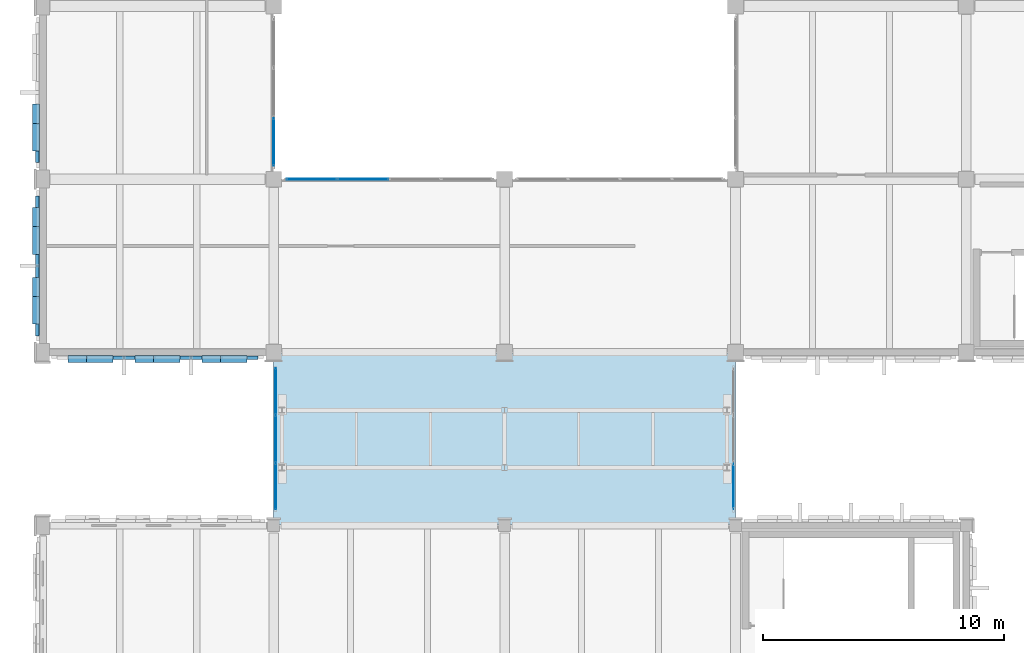
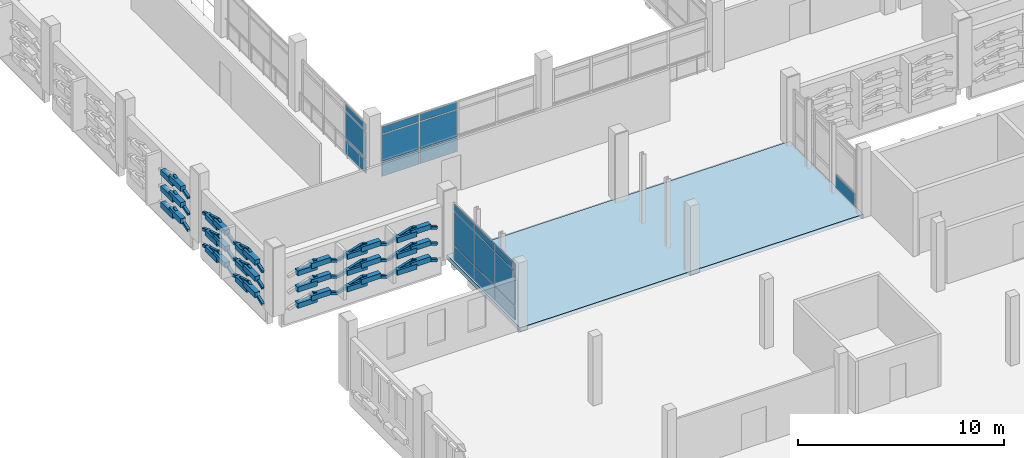
# One storey, part 38 of 72: 85 plates, 1 slab, 4 elements without a shape of their own.
"""IFC4 building model written with IfcOpenShell, lengths in metres."""

from ifc_helpers import new_model, si_unit, direction, frame, origin, origin_2d, place, context, subcontext, project, spatial, polyline, rectangle, hollow_rectangle, outline, extrude, material, layer, layer_set, material_profile, profile_set, type_object, element, aggregate, save


model = new_model("IFC4")

# Units and contexts
model_context = context("Model", 3, precision=1e-05, world=origin(), true_north=direction((0.0, 1.0)))
body_context = subcontext(model_context, "Body", "Model", "MODEL_VIEW")
ifc_project = project(units=[si_unit("LENGTHUNIT", "METRE"), si_unit("AREAUNIT", "SQUARE_METRE"), si_unit("VOLUMEUNIT", "CUBIC_METRE"), si_unit("PLANEANGLEUNIT", "RADIAN"), si_unit("MASSUNIT", "GRAM", prefix="KILO")], contexts=[model_context])

# Site, building, storey
site_placement = place(None, origin())
site = spatial("IfcSite", under=ifc_project, at=site_placement, CompositionType="ELEMENT")
building_placement = place(site_placement, origin())
building = spatial("IfcBuilding", under=site, at=building_placement, Name="Asteropetra Specialist Clinic", CompositionType="ELEMENT")
storey_placement = place(building_placement, frame((0.0, 0.0, 12.580078125)))
storey = spatial("IfcBuildingStorey", under=building, at=storey_placement, Name="L03", CompositionType="ELEMENT", Elevation=12.580078125)

# Plates
ifc_material_1 = material(Name="Chevron emerald aluminium 6063-T6", Category="aluminium")
ifc_material_profile = material_profile(ifc_material_1, hollow_rectangle(XDim=0.159912109375, YDim=0.159912109375, WallThickness=0.008056640625, InnerFilletRadius=0.008056640625, OuterFilletRadius=0.01611328125, at=origin_2d()), Name="SHS 160x160x8.0")
ifc_profile_set = profile_set([ifc_material_profile], Name="Chevron emerald aluminium 6063-T6")
plate_type_1 = type_object("IfcPlateType", Name="CHV-RIB-160", PredefinedType="SHEET", material=ifc_profile_set)
for number, where, z_axis, x_axis, name in (
    (1, (1.98828125, 69.3779296875, 0.499267578125), (0.952439871219, 0.0, -0.304726585175), (0.0, 1.0, 0.0), "Chevron Facade Screen Fin CVR-1192"),
    (2, (1.98828125, 69.3779296875, 1.459228515625), (0.952488995782, 0.0, -0.304573000962), (0.0, 1.0, 0.0), "Chevron Facade Screen Fin CVR-1194"),
    (3, (1.98828125, 69.3779296875, 2.419189453125), (0.952488995782, 0.0, -0.304573000962), (0.0, 1.0, 0.0), "Chevron Facade Screen Fin CVR-1196"),
):
    element("IfcPlate", number, at=place(storey_placement, frame(where, z_axis=z_axis, x_axis=x_axis)), inside=storey, type_object=plate_type_1, Name=name, PredefinedType="SHEET", context=body_context, shape_type="SweptSolid", body=[
        extrude(hollow_rectangle(XDim=0.159912109375, YDim=0.159912109375, WallThickness=0.008056640625, InnerFilletRadius=0.008056640625, OuterFilletRadius=0.01611328125, at=origin_2d()), origin(), (0.0, 0.0, 1.0), 1.442138671875),
    ])
for number, where, z_axis, x_axis, name in (
    (4, (3.401611328125, 69.3779296875, 0.059814453125), (0.952424147199, 0.0, 0.304775727104), (0.0, 1.0, 0.0), "Chevron Facade Screen Fin CVR-1197"),
    (5, (4.77490234375, 69.3779296875, 0.499267578125), (0.952424147199, 0.0, -0.304775727104), (0.0, 1.0, 0.0), "Chevron Facade Screen Fin CVR-1198"),
    (6, (3.401611328125, 69.3779296875, 1.02001953125), (0.952473286797, 0.0, 0.304622123191), (0.0, 1.0, 0.0), "Chevron Facade Screen Fin CVR-1199"),
    (7, (4.77490234375, 69.3779296875, 1.459228515625), (0.952473286797, 0.0, -0.304622123191), (0.0, 1.0, 0.0), "Chevron Facade Screen Fin CVR-1200"),
    (8, (3.401611328125, 69.3779296875, 1.97998046875), (0.952473286797, 0.0, 0.304622123191), (0.0, 1.0, 0.0), "Chevron Facade Screen Fin CVR-1201"),
    (9, (4.77490234375, 69.3779296875, 2.419189453125), (0.952473286797, 0.0, -0.304622123191), (0.0, 1.0, 0.0), "Chevron Facade Screen Fin CVR-1202"),
):
    element("IfcPlate", number, at=place(storey_placement, frame(where, z_axis=z_axis, x_axis=x_axis)), inside=storey, type_object=plate_type_1, Name=name, PredefinedType="SHEET", context=body_context, shape_type="SweptSolid", body=[
        extrude(hollow_rectangle(XDim=0.159912109375, YDim=0.159912109375, WallThickness=0.008056640625, InnerFilletRadius=0.008056640625, OuterFilletRadius=0.01611328125, at=origin_2d()), origin(), (0.0, 0.0, 1.0), 1.44189453125),
    ])
plate_1_placement = place(storey_placement, frame((6.188232421875, 69.3779296875, 0.059814453125), z_axis=(0.952439871219, 0.0, 0.304726585175), x_axis=(0.0, 1.0, 0.0)))
element("IfcPlate", 10, at=plate_1_placement, inside=storey, type_object=plate_type_1, Name="Chevron Facade Screen Fin CVR-1203", PredefinedType="SHEET", context=body_context, shape_type="SweptSolid", body=[
    extrude(hollow_rectangle(XDim=0.159912109375, YDim=0.159912109375, WallThickness=0.008056640625, InnerFilletRadius=0.008056640625, OuterFilletRadius=0.01611328125, at=origin_2d()), origin(), (0.0, 0.0, 1.0), 1.442138671875),
])
plate_2_placement = place(storey_placement, frame((7.561767578125, 69.3779296875, 0.499267578125), z_axis=(0.952424147199, 0.0, -0.304775727104), x_axis=(0.0, 1.0, 0.0)))
element("IfcPlate", 11, at=plate_2_placement, inside=storey, type_object=plate_type_1, Name="Chevron Facade Screen Fin CVR-1204", PredefinedType="SHEET", context=body_context, shape_type="SweptSolid", body=[
    extrude(hollow_rectangle(XDim=0.159912109375, YDim=0.159912109375, WallThickness=0.008056640625, InnerFilletRadius=0.008056640625, OuterFilletRadius=0.01611328125, at=origin_2d()), origin(), (0.0, 0.0, 1.0), 1.44189453125),
])
plate_3_placement = place(storey_placement, frame((6.188232421875, 69.3779296875, 1.02001953125), z_axis=(0.952488995782, 0.0, 0.304573000962), x_axis=(0.0, 1.0, 0.0)))
element("IfcPlate", 12, at=plate_3_placement, inside=storey, type_object=plate_type_1, Name="Chevron Facade Screen Fin CVR-1205", PredefinedType="SHEET", context=body_context, shape_type="SweptSolid", body=[
    extrude(hollow_rectangle(XDim=0.159912109375, YDim=0.159912109375, WallThickness=0.008056640625, InnerFilletRadius=0.008056640625, OuterFilletRadius=0.01611328125, at=origin_2d()), origin(), (0.0, 0.0, 1.0), 1.442138671875),
])
plate_4_placement = place(storey_placement, frame((7.561767578125, 69.3779296875, 1.459228515625), z_axis=(0.952473286797, 0.0, -0.304622123191), x_axis=(0.0, 1.0, 0.0)))
element("IfcPlate", 13, at=plate_4_placement, inside=storey, type_object=plate_type_1, Name="Chevron Facade Screen Fin CVR-1206", PredefinedType="SHEET", context=body_context, shape_type="SweptSolid", body=[
    extrude(hollow_rectangle(XDim=0.159912109375, YDim=0.159912109375, WallThickness=0.008056640625, InnerFilletRadius=0.008056640625, OuterFilletRadius=0.01611328125, at=origin_2d()), origin(), (0.0, 0.0, 1.0), 1.44189453125),
])
plate_5_placement = place(storey_placement, frame((6.188232421875, 69.3779296875, 1.97998046875), z_axis=(0.952488995782, 0.0, 0.304573000962), x_axis=(0.0, 1.0, 0.0)))
element("IfcPlate", 14, at=plate_5_placement, inside=storey, type_object=plate_type_1, Name="Chevron Facade Screen Fin CVR-1207", PredefinedType="SHEET", context=body_context, shape_type="SweptSolid", body=[
    extrude(hollow_rectangle(XDim=0.159912109375, YDim=0.159912109375, WallThickness=0.008056640625, InnerFilletRadius=0.008056640625, OuterFilletRadius=0.01611328125, at=origin_2d()), origin(), (0.0, 0.0, 1.0), 1.442138671875),
])
plate_6_placement = place(storey_placement, frame((7.561767578125, 69.3779296875, 2.419189453125), z_axis=(0.952473286797, 0.0, -0.304622123191), x_axis=(0.0, 1.0, 0.0)))
element("IfcPlate", 15, at=plate_6_placement, inside=storey, type_object=plate_type_1, Name="Chevron Facade Screen Fin CVR-1208", PredefinedType="SHEET", context=body_context, shape_type="SweptSolid", body=[
    extrude(hollow_rectangle(XDim=0.159912109375, YDim=0.159912109375, WallThickness=0.008056640625, InnerFilletRadius=0.008056640625, OuterFilletRadius=0.01611328125, at=origin_2d()), origin(), (0.0, 0.0, 1.0), 1.44189453125),
])
plate_7_placement = place(storey_placement, frame((-0.221923828125, 76.0849609375, 0.059814453125), z_axis=(0.0, -0.952491984317, 0.304563654777), x_axis=(1.0, 0.0, 0.0)))
element("IfcPlate", 16, at=plate_7_placement, inside=storey, type_object=plate_type_1, Name="Chevron Facade Screen Fin CVR-1341", PredefinedType="SHEET", context=body_context, shape_type="SweptSolid", body=[
    extrude(hollow_rectangle(XDim=0.159912109375, YDim=0.159912109375, WallThickness=0.008056640625, InnerFilletRadius=0.008056640625, OuterFilletRadius=0.01611328125, at=origin_2d()), origin(), (0.0, 0.0, 1.0), 1.50390625),
])
plate_8_placement = place(storey_placement, frame((-0.221923828125, 74.652587890625, 0.517822265625), z_axis=(0.0, -0.952507040007, -0.304516565619), x_axis=(1.0, 0.0, 0.0)))
element("IfcPlate", 17, at=plate_8_placement, inside=storey, type_object=plate_type_1, Name="Chevron Facade Screen Fin CVR-1342", PredefinedType="SHEET", context=body_context, shape_type="SweptSolid", body=[
    extrude(hollow_rectangle(XDim=0.159912109375, YDim=0.159912109375, WallThickness=0.008056640625, InnerFilletRadius=0.008056640625, OuterFilletRadius=0.01611328125, at=origin_2d()), origin(), (0.0, 0.0, 1.0), 1.504150390625),
])
plate_9_placement = place(storey_placement, frame((-0.221923828125, 76.0849609375, 1.02001953125), z_axis=(0.0, -0.952491984317, 0.304563654777), x_axis=(1.0, 0.0, 0.0)))
element("IfcPlate", 18, at=plate_9_placement, inside=storey, type_object=plate_type_1, Name="Chevron Facade Screen Fin CVR-1343", PredefinedType="SHEET", context=body_context, shape_type="SweptSolid", body=[
    extrude(hollow_rectangle(XDim=0.159912109375, YDim=0.159912109375, WallThickness=0.008056640625, InnerFilletRadius=0.008056640625, OuterFilletRadius=0.01611328125, at=origin_2d()), origin(), (0.0, 0.0, 1.0), 1.50390625),
])
plate_10_placement = place(storey_placement, frame((-0.221923828125, 74.652587890625, 1.47802734375), z_axis=(0.0, -0.952507040007, -0.304516565619), x_axis=(1.0, 0.0, 0.0)))
element("IfcPlate", 19, at=plate_10_placement, inside=storey, type_object=plate_type_1, Name="Chevron Facade Screen Fin CVR-1344", PredefinedType="SHEET", context=body_context, shape_type="SweptSolid", body=[
    extrude(hollow_rectangle(XDim=0.159912109375, YDim=0.159912109375, WallThickness=0.008056640625, InnerFilletRadius=0.008056640625, OuterFilletRadius=0.01611328125, at=origin_2d()), origin(), (0.0, 0.0, 1.0), 1.504150390625),
])
plate_11_placement = place(storey_placement, frame((-0.221923828125, 76.0849609375, 1.97998046875), z_axis=(0.0, -0.952491984317, 0.304563654777), x_axis=(1.0, 0.0, 0.0)))
element("IfcPlate", 20, at=plate_11_placement, inside=storey, type_object=plate_type_1, Name="Chevron Facade Screen Fin CVR-1345", PredefinedType="SHEET", context=body_context, shape_type="SweptSolid", body=[
    extrude(hollow_rectangle(XDim=0.159912109375, YDim=0.159912109375, WallThickness=0.008056640625, InnerFilletRadius=0.008056640625, OuterFilletRadius=0.01611328125, at=origin_2d()), origin(), (0.0, 0.0, 1.0), 1.50390625),
])
plate_12_placement = place(storey_placement, frame((-0.221923828125, 74.652587890625, 2.43798828125), z_axis=(0.0, -0.952507040007, -0.304516565619), x_axis=(1.0, 0.0, 0.0)))
element("IfcPlate", 21, at=plate_12_placement, inside=storey, type_object=plate_type_1, Name="Chevron Facade Screen Fin CVR-1346", PredefinedType="SHEET", context=body_context, shape_type="SweptSolid", body=[
    extrude(hollow_rectangle(XDim=0.159912109375, YDim=0.159912109375, WallThickness=0.008056640625, InnerFilletRadius=0.008056640625, OuterFilletRadius=0.01611328125, at=origin_2d()), origin(), (0.0, 0.0, 1.0), 1.504150390625),
])
plate_13_placement = place(storey_placement, frame((-0.221923828125, 73.179931640625, 0.059814453125), z_axis=(0.0, -0.952491984317, 0.304563654777), x_axis=(1.0, 0.0, 0.0)))
element("IfcPlate", 22, at=plate_13_placement, inside=storey, type_object=plate_type_1, Name="Chevron Facade Screen Fin CVR-1347", PredefinedType="SHEET", context=body_context, shape_type="SweptSolid", body=[
    extrude(hollow_rectangle(XDim=0.159912109375, YDim=0.159912109375, WallThickness=0.008056640625, InnerFilletRadius=0.008056640625, OuterFilletRadius=0.01611328125, at=origin_2d()), origin(), (0.0, 0.0, 1.0), 1.50390625),
])
plate_14_placement = place(storey_placement, frame((-0.221923828125, 71.74755859375, 0.517822265625), z_axis=(0.0, -0.952507040007, -0.304516565619), x_axis=(1.0, 0.0, 0.0)))
element("IfcPlate", 23, at=plate_14_placement, inside=storey, type_object=plate_type_1, Name="Chevron Facade Screen Fin CVR-1348", PredefinedType="SHEET", context=body_context, shape_type="SweptSolid", body=[
    extrude(hollow_rectangle(XDim=0.159912109375, YDim=0.159912109375, WallThickness=0.008056640625, InnerFilletRadius=0.008056640625, OuterFilletRadius=0.01611328125, at=origin_2d()), origin(), (0.0, 0.0, 1.0), 1.504150390625),
])
plate_15_placement = place(storey_placement, frame((-0.221923828125, 73.179931640625, 1.02001953125), z_axis=(0.0, -0.952491984317, 0.304563654777), x_axis=(1.0, 0.0, 0.0)))
element("IfcPlate", 24, at=plate_15_placement, inside=storey, type_object=plate_type_1, Name="Chevron Facade Screen Fin CVR-1349", PredefinedType="SHEET", context=body_context, shape_type="SweptSolid", body=[
    extrude(hollow_rectangle(XDim=0.159912109375, YDim=0.159912109375, WallThickness=0.008056640625, InnerFilletRadius=0.008056640625, OuterFilletRadius=0.01611328125, at=origin_2d()), origin(), (0.0, 0.0, 1.0), 1.50390625),
])
plate_16_placement = place(storey_placement, frame((-0.221923828125, 71.74755859375, 1.47802734375), z_axis=(0.0, -0.952507040007, -0.304516565619), x_axis=(1.0, 0.0, 0.0)))
element("IfcPlate", 25, at=plate_16_placement, inside=storey, type_object=plate_type_1, Name="Chevron Facade Screen Fin CVR-1350", PredefinedType="SHEET", context=body_context, shape_type="SweptSolid", body=[
    extrude(hollow_rectangle(XDim=0.159912109375, YDim=0.159912109375, WallThickness=0.008056640625, InnerFilletRadius=0.008056640625, OuterFilletRadius=0.01611328125, at=origin_2d()), origin(), (0.0, 0.0, 1.0), 1.504150390625),
])
plate_17_placement = place(storey_placement, frame((-0.221923828125, 73.179931640625, 1.97998046875), z_axis=(0.0, -0.952491984317, 0.304563654777), x_axis=(1.0, 0.0, 0.0)))
element("IfcPlate", 26, at=plate_17_placement, inside=storey, type_object=plate_type_1, Name="Chevron Facade Screen Fin CVR-1351", PredefinedType="SHEET", context=body_context, shape_type="SweptSolid", body=[
    extrude(hollow_rectangle(XDim=0.159912109375, YDim=0.159912109375, WallThickness=0.008056640625, InnerFilletRadius=0.008056640625, OuterFilletRadius=0.01611328125, at=origin_2d()), origin(), (0.0, 0.0, 1.0), 1.50390625),
])
for number, where, z_axis, x_axis, name in (
    (27, (-0.221923828125, 71.74755859375, 2.43798828125), (0.0, -0.952507040007, -0.304516565619), (1.0, 0.0, 0.0), "Chevron Facade Screen Fin CVR-1352"),
    (28, (-0.221923828125, 78.947509765625, 0.517822265625), (0.0, -0.952507040007, -0.304516565619), (1.0, 0.0, 0.0), "Chevron Facade Screen Fin CVR-1372"),
    (29, (-0.221923828125, 78.947509765625, 1.47802734375), (0.0, -0.952507040007, -0.304516565619), (1.0, 0.0, 0.0), "Chevron Facade Screen Fin CVR-1374"),
    (30, (-0.221923828125, 78.947509765625, 2.43798828125), (0.0, -0.952507040007, -0.304516565619), (1.0, 0.0, 0.0), "Chevron Facade Screen Fin CVR-1376"),
):
    element("IfcPlate", number, at=place(storey_placement, frame(where, z_axis=z_axis, x_axis=x_axis)), inside=storey, type_object=plate_type_1, Name=name, PredefinedType="SHEET", context=body_context, shape_type="SweptSolid", body=[
        extrude(hollow_rectangle(XDim=0.159912109375, YDim=0.159912109375, WallThickness=0.008056640625, InnerFilletRadius=0.008056640625, OuterFilletRadius=0.01611328125, at=origin_2d()), origin(), (0.0, 0.0, 1.0), 1.504150390625),
    ])

# Curtain wall, plate
ifc_material_2 = material(Name="Aluminium and low-E glass", Category="aluminium")
ifc_layer_1 = layer(ifc_material_2, 0.135009765625)
ifc_layer_set_1 = layer_set([ifc_layer_1], Name="Aluminium and low-E glass")
curtain_wall_type_1 = type_object("IfcCurtainWallType", Name="CW-SYS-09", PredefinedType="USERDEFINED", material=ifc_layer_set_1)
curtain_wall_1_placement = place(storey_placement, origin())
curtain_wall_1 = element("IfcCurtainWall", 31, at=curtain_wall_1_placement, inside=storey, type_object=curtain_wall_type_1, Name="Curtain Wall CW-108", ObjectType="STICK GLAZED COLONNADE", PredefinedType="USERDEFINED")
ifc_material_3 = material(Name="Low-E double glazing", Category="glass")
ifc_layer_2 = layer(ifc_material_3, 0.028076171875)
ifc_layer_set_2 = layer_set([ifc_layer_2], Name="Low-E double glazing")
plate_type_2 = type_object("IfcPlateType", Name="CWP-GLZ-28", PredefinedType="CURTAIN_PANEL", material=ifc_layer_set_2)
plate_18_placement = place(storey_placement, frame((28.719970703125, 64.025390625, 0.074951171875), z_axis=(0.0, 0.0, 1.0), x_axis=(0.0, -1.0, 0.0)))
plate_18 = element("IfcPlate", 32, at=plate_18_placement, type_object=plate_type_2, Name="CW-108 panel 3.1", PredefinedType="CURTAIN_PANEL", context=body_context, shape_type="SweptSolid", body=[
    extrude(rectangle(XDim=1.880859375, YDim=0.028076171875, at=origin_2d()), origin(), (0.0, 0.0, 1.0), 0.78759765625),
])
aggregate(curtain_wall_1, [plate_18])

# Curtain wall, plates
ifc_material_4 = material(Name="Aluminium and low-E glass", Category="aluminium")
ifc_layer_3 = layer(ifc_material_4, 0.14990234375)
ifc_layer_set_3 = layer_set([ifc_layer_3], Name="Aluminium and low-E glass")
curtain_wall_type_2 = type_object("IfcCurtainWallType", Name="CW-SYS-02", PredefinedType="USERDEFINED", material=ifc_layer_set_3)
curtain_wall_2_placement = place(storey_placement, origin())
curtain_wall_2 = element("IfcCurtainWall", 33, at=curtain_wall_2_placement, inside=storey, type_object=curtain_wall_type_2, Name="Curtain Wall CW-041", ObjectType="UNITISED CURTAIN WALL", PredefinedType="USERDEFINED")
ifc_material_5 = material(Name="Low-E acoustic double glazing", Category="glass")
ifc_layer_4 = layer(ifc_material_5, 0.031982421875)
ifc_layer_set_4 = layer_set([ifc_layer_4], Name="Low-E acoustic double glazing")
plate_type_3 = type_object("IfcPlateType", Name="CWP-GLZ-32", PredefinedType="CURTAIN_PANEL", material=ifc_layer_set_4)
plate_19_placement = place(storey_placement, frame((11.1787109375, 76.800048828125, 0.059814453125), z_axis=(0.0, 0.0, 1.0), x_axis=(1.0, 0.0, 0.0)))
plate_19 = element("IfcPlate", 34, at=plate_19_placement, type_object=plate_type_3, Name="CW-041 panel 1.1", PredefinedType="CURTAIN_PANEL", context=body_context, shape_type="SweptSolid", body=[
    extrude(rectangle(XDim=2.0673828125, YDim=0.031982421875, at=origin_2d()), origin(), (0.0, 0.0, 1.0), 0.81005859375),
])
plate_20_placement = place(storey_placement, frame((11.1787109375, 76.800048828125, 0.9296875), z_axis=(0.0, 0.0, 1.0), x_axis=(1.0, 0.0, 0.0)))
plate_20 = element("IfcPlate", 35, at=plate_20_placement, type_object=plate_type_3, Name="CW-041 panel 1.2", PredefinedType="CURTAIN_PANEL", context=body_context, shape_type="SweptSolid", body=[
    extrude(rectangle(XDim=2.0673828125, YDim=0.031982421875, at=origin_2d()), origin(), (0.0, 0.0, 1.0), 1.590087890625),
])
plate_21_placement = place(storey_placement, frame((11.1787109375, 76.800048828125, 2.580078125), z_axis=(0.0, 0.0, 1.0), x_axis=(1.0, 0.0, 0.0)))
plate_21 = element("IfcPlate", 36, at=plate_21_placement, type_object=plate_type_3, Name="CW-041 panel 1.3", PredefinedType="CURTAIN_PANEL", context=body_context, shape_type="SweptSolid", body=[
    extrude(rectangle(XDim=2.0673828125, YDim=0.031982421875, at=origin_2d()), origin(), (0.0, 0.0, 1.0), 0.409912109375),
])
plate_22_placement = place(storey_placement, frame((13.3212890625, 76.800048828125, 0.059814453125), z_axis=(0.0, 0.0, 1.0), x_axis=(1.0, 0.0, 0.0)))
plate_22 = element("IfcPlate", 37, at=plate_22_placement, type_object=plate_type_3, Name="CW-041 panel 2.1", PredefinedType="CURTAIN_PANEL", context=body_context, shape_type="SweptSolid", body=[
    extrude(rectangle(XDim=2.097412109375, YDim=0.031982421875, at=origin_2d()), origin(), (0.0, 0.0, 1.0), 0.81005859375),
])
plate_23_placement = place(storey_placement, frame((13.3212890625, 76.800048828125, 0.9296875), z_axis=(0.0, 0.0, 1.0), x_axis=(1.0, 0.0, 0.0)))
plate_23 = element("IfcPlate", 38, at=plate_23_placement, type_object=plate_type_3, Name="CW-041 panel 2.2", PredefinedType="CURTAIN_PANEL", context=body_context, shape_type="SweptSolid", body=[
    extrude(rectangle(XDim=2.097412109375, YDim=0.031982421875, at=origin_2d()), origin(), (0.0, 0.0, 1.0), 1.590087890625),
])
plate_24_placement = place(storey_placement, frame((13.3212890625, 76.800048828125, 2.580078125), z_axis=(0.0, 0.0, 1.0), x_axis=(1.0, 0.0, 0.0)))
plate_24 = element("IfcPlate", 39, at=plate_24_placement, type_object=plate_type_3, Name="CW-041 panel 2.3", PredefinedType="CURTAIN_PANEL", context=body_context, shape_type="SweptSolid", body=[
    extrude(rectangle(XDim=2.097412109375, YDim=0.031982421875, at=origin_2d()), origin(), (0.0, 0.0, 1.0), 0.409912109375),
])
aggregate(curtain_wall_2, [plate_19, plate_20, plate_21, plate_22, plate_23, plate_24])

ifc_material_6 = material(Name="Aluminium and low-E glass", Category="aluminium")
ifc_layer_5 = layer(ifc_material_6, 0.179931640625)
ifc_layer_set_5 = layer_set([ifc_layer_5], Name="Aluminium and low-E glass")
curtain_wall_type_3 = type_object("IfcCurtainWallType", Name="CW-SYS-04", PredefinedType="USERDEFINED", material=ifc_layer_set_5)
curtain_wall_3_placement = place(storey_placement, origin())
curtain_wall_3 = element("IfcCurtainWall", 40, at=curtain_wall_3_placement, inside=storey, type_object=curtain_wall_type_3, Name="Curtain Wall CW-045", ObjectType="UNITISED CURTAIN WALL", PredefinedType="USERDEFINED")
plate_25_placement = place(storey_placement, frame((9.60009765625, 78.342041015625, 0.074951171875), z_axis=(0.0, 0.0, 1.0), x_axis=(0.0, -1.0, 0.0)))
plate_25 = element("IfcPlate", 41, at=plate_25_placement, type_object=plate_type_3, Name="CW-045 panel 3.1", PredefinedType="CURTAIN_PANEL", context=body_context, shape_type="SweptSolid", body=[
    extrude(rectangle(XDim=1.964111328125, YDim=0.031982421875, at=origin_2d()), origin(), (0.0, 0.0, 1.0), 0.78759765625),
])
plate_26_placement = place(storey_placement, frame((9.60009765625, 78.342041015625, 0.9375), z_axis=(0.0, 0.0, 1.0), x_axis=(0.0, -1.0, 0.0)))
plate_26 = element("IfcPlate", 42, at=plate_26_placement, type_object=plate_type_3, Name="CW-045 panel 3.2", PredefinedType="CURTAIN_PANEL", context=body_context, shape_type="SweptSolid", body=[
    extrude(rectangle(XDim=1.964111328125, YDim=0.031982421875, at=origin_2d()), origin(), (0.0, 0.0, 1.0), 1.60498046875),
])
plate_27_placement = place(storey_placement, frame((9.60009765625, 78.342041015625, 2.61767578125), z_axis=(0.0, 0.0, 1.0), x_axis=(0.0, -1.0, 0.0)))
plate_27 = element("IfcPlate", 43, at=plate_27_placement, type_object=plate_type_3, Name="CW-045 panel 3.3", PredefinedType="CURTAIN_PANEL", context=body_context, shape_type="SweptSolid", body=[
    extrude(rectangle(XDim=1.964111328125, YDim=0.031982421875, at=origin_2d()), origin(), (0.0, 0.0, 1.0), 0.387451171875),
])
aggregate(curtain_wall_3, [plate_25, plate_26, plate_27])

ifc_material_7 = material(Name="Aluminium and low-E glass", Category="aluminium")
ifc_layer_6 = layer(ifc_material_7, 0.14990234375)
ifc_layer_set_6 = layer_set([ifc_layer_6], Name="Aluminium and low-E glass")
curtain_wall_type_4 = type_object("IfcCurtainWallType", Name="CW-SYS-08", PredefinedType="USERDEFINED", material=ifc_layer_set_6)
curtain_wall_4_placement = place(storey_placement, origin())
curtain_wall_4 = element("IfcCurtainWall", 44, at=curtain_wall_4_placement, inside=storey, type_object=curtain_wall_type_4, Name="Curtain Wall CW-107", ObjectType="STICK GLAZED COLONNADE", PredefinedType="USERDEFINED")
ifc_material_8 = material(Name="Laminated skylight glazing", Category="glass")
ifc_layer_7 = layer(ifc_material_8, 0.0400390625)
ifc_layer_set_7 = layer_set([ifc_layer_7], Name="Laminated skylight glazing")
plate_type_4 = type_object("IfcPlateType", Name="CWP-GLZ-40", PredefinedType="CURTAIN_PANEL", material=ifc_layer_set_7)
plate_28_placement = place(storey_placement, frame((9.679931640625, 64.021728515625, 0.059814453125), z_axis=(0.0, 0.0, 1.0), x_axis=(0.0, 1.0, 0.0)))
plate_28 = element("IfcPlate", 45, at=plate_28_placement, type_object=plate_type_4, Name="CW-107 panel 1.1", PredefinedType="CURTAIN_PANEL", context=body_context, shape_type="SweptSolid", body=[
    extrude(rectangle(XDim=1.9033203125, YDim=0.0400390625, at=origin_2d()), origin(), (0.0, 0.0, 1.0), 0.81005859375),
])
plate_29_placement = place(storey_placement, frame((9.679931640625, 64.021728515625, 0.93017578125), z_axis=(0.0, 0.0, 1.0), x_axis=(0.0, 1.0, 0.0)))
plate_29 = element("IfcPlate", 46, at=plate_29_placement, type_object=plate_type_4, Name="CW-107 panel 1.2", PredefinedType="CURTAIN_PANEL", context=body_context, shape_type="SweptSolid", body=[
    extrude(rectangle(XDim=1.9033203125, YDim=0.0400390625, at=origin_2d()), origin(), (0.0, 0.0, 1.0), 1.969970703125),
])
plate_30_placement = place(storey_placement, frame((9.679931640625, 64.021728515625, 2.9599609375), z_axis=(0.0, 0.0, 1.0), x_axis=(0.0, 1.0, 0.0)))
plate_30 = element("IfcPlate", 47, at=plate_30_placement, type_object=plate_type_4, Name="CW-107 panel 1.3", PredefinedType="CURTAIN_PANEL", context=body_context, shape_type="SweptSolid", body=[
    extrude(rectangle(XDim=1.9033203125, YDim=0.0400390625, at=origin_2d()), origin(), (0.0, 0.0, 1.0), 0.409912109375),
])
plate_31_placement = place(storey_placement, frame((9.679931640625, 66.0, 0.059814453125), z_axis=(0.0, 0.0, 1.0), x_axis=(0.0, 1.0, 0.0)))
plate_31 = element("IfcPlate", 48, at=plate_31_placement, type_object=plate_type_4, Name="CW-107 panel 2.1", PredefinedType="CURTAIN_PANEL", context=body_context, shape_type="SweptSolid", body=[
    extrude(rectangle(XDim=1.933349609375, YDim=0.0400390625, at=origin_2d()), origin(), (0.0, 0.0, 1.0), 0.81005859375),
])
plate_32_placement = place(storey_placement, frame((9.679931640625, 66.0, 0.93017578125), z_axis=(0.0, 0.0, 1.0), x_axis=(0.0, 1.0, 0.0)))
plate_32 = element("IfcPlate", 49, at=plate_32_placement, type_object=plate_type_4, Name="CW-107 panel 2.2", PredefinedType="CURTAIN_PANEL", context=body_context, shape_type="SweptSolid", body=[
    extrude(rectangle(XDim=1.933349609375, YDim=0.0400390625, at=origin_2d()), origin(), (0.0, 0.0, 1.0), 1.969970703125),
])
plate_33_placement = place(storey_placement, frame((9.679931640625, 66.0, 2.9599609375), z_axis=(0.0, 0.0, 1.0), x_axis=(0.0, 1.0, 0.0)))
plate_33 = element("IfcPlate", 50, at=plate_33_placement, type_object=plate_type_4, Name="CW-107 panel 2.3", PredefinedType="CURTAIN_PANEL", context=body_context, shape_type="SweptSolid", body=[
    extrude(rectangle(XDim=1.933349609375, YDim=0.0400390625, at=origin_2d()), origin(), (0.0, 0.0, 1.0), 0.409912109375),
])
plate_34_placement = place(storey_placement, frame((9.679931640625, 67.978271484375, 0.059814453125), z_axis=(0.0, 0.0, 1.0), x_axis=(0.0, 1.0, 0.0)))
plate_34 = element("IfcPlate", 51, at=plate_34_placement, type_object=plate_type_4, Name="CW-107 panel 3.1", PredefinedType="CURTAIN_PANEL", context=body_context, shape_type="SweptSolid", body=[
    extrude(rectangle(XDim=1.9033203125, YDim=0.0400390625, at=origin_2d()), origin(), (0.0, 0.0, 1.0), 0.81005859375),
])
plate_35_placement = place(storey_placement, frame((9.679931640625, 67.978271484375, 0.93017578125), z_axis=(0.0, 0.0, 1.0), x_axis=(0.0, 1.0, 0.0)))
plate_35 = element("IfcPlate", 52, at=plate_35_placement, type_object=plate_type_4, Name="CW-107 panel 3.2", PredefinedType="CURTAIN_PANEL", context=body_context, shape_type="SweptSolid", body=[
    extrude(rectangle(XDim=1.9033203125, YDim=0.0400390625, at=origin_2d()), origin(), (0.0, 0.0, 1.0), 1.969970703125),
])
plate_36_placement = place(storey_placement, frame((9.679931640625, 67.978271484375, 2.9599609375), z_axis=(0.0, 0.0, 1.0), x_axis=(0.0, 1.0, 0.0)))
plate_36 = element("IfcPlate", 53, at=plate_36_placement, type_object=plate_type_4, Name="CW-107 panel 3.3", PredefinedType="CURTAIN_PANEL", context=body_context, shape_type="SweptSolid", body=[
    extrude(rectangle(XDim=1.9033203125, YDim=0.0400390625, at=origin_2d()), origin(), (0.0, 0.0, 1.0), 0.409912109375),
])
aggregate(curtain_wall_4, [plate_28, plate_29, plate_30, plate_31, plate_32, plate_33, plate_34, plate_35, plate_36])

# Plates
ifc_material_9 = material(Name="Aluminium 6063-T6", Category="aluminium")
ifc_layer_8 = layer(ifc_material_9, 0.139892578125)
ifc_layer_set_8 = layer_set([ifc_layer_8], Name="Aluminium 6063-T6")
plate_type_5 = type_object("IfcPlateType", Name="PLT-CHV-TILE", PredefinedType="SHEET", material=ifc_layer_set_8)
for number, where, z_axis, x_axis, name in (
    (54, (1.603759765625, 69.320068359375, 0.04150390625), (0.0, 0.0, 1.0), (1.0, 0.0, 0.0), "Chevron Ceramic Panel CPT-0861"),
    (55, (2.372802734375, 69.320068359375, 0.20849609375), (0.0, 0.0, 1.0), (1.0, 0.0, 0.0), "Chevron Ceramic Panel CPT-0862"),
    (56, (1.603759765625, 69.320068359375, 1.00146484375), (0.0, 0.0, 1.0), (1.0, 0.0, 0.0), "Chevron Ceramic Panel CPT-0863"),
    (57, (2.372802734375, 69.320068359375, 1.16845703125), (0.0, 0.0, 1.0), (1.0, 0.0, 0.0), "Chevron Ceramic Panel CPT-0864"),
    (58, (1.603759765625, 69.320068359375, 1.9619140625), (0.0, 0.0, 1.0), (1.0, 0.0, 0.0), "Chevron Ceramic Panel CPT-0865"),
    (59, (2.372802734375, 69.320068359375, 2.12841796875), (0.0, 0.0, 1.0), (1.0, 0.0, 0.0), "Chevron Ceramic Panel CPT-0866"),
    (60, (4.390380859375, 69.320068359375, 0.04150390625), (0.0, 0.0, 1.0), (1.0, 0.0, 0.0), "Chevron Ceramic Panel CPT-0867"),
    (61, (5.159423828125, 69.320068359375, 0.20849609375), (0.0, 0.0, 1.0), (1.0, 0.0, 0.0), "Chevron Ceramic Panel CPT-0868"),
    (62, (4.390380859375, 69.320068359375, 1.00146484375), (0.0, 0.0, 1.0), (1.0, 0.0, 0.0), "Chevron Ceramic Panel CPT-0869"),
    (63, (5.159423828125, 69.320068359375, 1.16845703125), (0.0, 0.0, 1.0), (1.0, 0.0, 0.0), "Chevron Ceramic Panel CPT-0870"),
    (64, (4.390380859375, 69.320068359375, 1.9619140625), (0.0, 0.0, 1.0), (1.0, 0.0, 0.0), "Chevron Ceramic Panel CPT-0871"),
    (65, (5.159423828125, 69.320068359375, 2.12841796875), (0.0, 0.0, 1.0), (1.0, 0.0, 0.0), "Chevron Ceramic Panel CPT-0872"),
    (66, (7.177001953125, 69.320068359375, 0.04150390625), (0.0, 0.0, 1.0), (1.0, 0.0, 0.0), "Chevron Ceramic Panel CPT-0873"),
    (67, (7.9462890625, 69.320068359375, 0.20849609375), (0.0, 0.0, 1.0), (1.0, 0.0, 0.0), "Chevron Ceramic Panel CPT-0874"),
    (68, (7.177001953125, 69.320068359375, 1.00146484375), (0.0, 0.0, 1.0), (1.0, 0.0, 0.0), "Chevron Ceramic Panel CPT-0875"),
    (69, (7.9462890625, 69.320068359375, 1.16845703125), (0.0, 0.0, 1.0), (1.0, 0.0, 0.0), "Chevron Ceramic Panel CPT-0876"),
    (70, (7.177001953125, 69.320068359375, 1.9619140625), (0.0, 0.0, 1.0), (1.0, 0.0, 0.0), "Chevron Ceramic Panel CPT-0877"),
    (71, (7.9462890625, 69.320068359375, 2.12841796875), (0.0, 0.0, 1.0), (1.0, 0.0, 0.0), "Chevron Ceramic Panel CPT-0878"),
):
    element("IfcPlate", number, at=place(storey_placement, frame(where, z_axis=z_axis, x_axis=x_axis)), inside=storey, type_object=plate_type_5, Name=name, PredefinedType="SHEET", context=body_context, shape_type="SweptSolid", body=[
        extrude(rectangle(XDim=1.09912109375, YDim=0.280029296875, at=origin_2d()), origin(), (0.0, 0.0, 1.0), 0.300048828125),
    ])
for number, where, z_axis, x_axis, name in (
    (72, (-0.280029296875, 75.0537109375, 0.04736328125), (0.0, 0.0, 1.0), (1.0, 0.0, 0.0), "Chevron Ceramic Panel CPT-1035"),
    (73, (-0.280029296875, 74.25146484375, 0.22119140625), (0.0, 0.0, 1.0), (1.0, 0.0, 0.0), "Chevron Ceramic Panel CPT-1036"),
    (74, (-0.280029296875, 75.0537109375, 1.00732421875), (0.0, 0.0, 1.0), (1.0, 0.0, 0.0), "Chevron Ceramic Panel CPT-1037"),
    (75, (-0.280029296875, 74.25146484375, 1.18115234375), (0.0, 0.0, 1.0), (1.0, 0.0, 0.0), "Chevron Ceramic Panel CPT-1038"),
    (76, (-0.280029296875, 75.0537109375, 1.96728515625), (0.0, 0.0, 1.0), (1.0, 0.0, 0.0), "Chevron Ceramic Panel CPT-1039"),
    (77, (-0.280029296875, 74.25146484375, 2.14111328125), (0.0, 0.0, 1.0), (1.0, 0.0, 0.0), "Chevron Ceramic Panel CPT-1040"),
    (78, (-0.280029296875, 72.148681640625, 0.04736328125), (0.0, 0.0, 1.0), (1.0, 0.0, 0.0), "Chevron Ceramic Panel CPT-1041"),
    (79, (-0.280029296875, 71.346435546875, 0.22119140625), (0.0, 0.0, 1.0), (1.0, 0.0, 0.0), "Chevron Ceramic Panel CPT-1042"),
    (80, (-0.280029296875, 72.148681640625, 1.00732421875), (0.0, 0.0, 1.0), (1.0, 0.0, 0.0), "Chevron Ceramic Panel CPT-1043"),
    (81, (-0.280029296875, 71.346435546875, 1.18115234375), (0.0, 0.0, 1.0), (1.0, 0.0, 0.0), "Chevron Ceramic Panel CPT-1044"),
    (82, (-0.280029296875, 72.148681640625, 1.96728515625), (0.0, 0.0, 1.0), (1.0, 0.0, 0.0), "Chevron Ceramic Panel CPT-1045"),
    (83, (-0.280029296875, 71.346435546875, 2.14111328125), (0.0, 0.0, 1.0), (1.0, 0.0, 0.0), "Chevron Ceramic Panel CPT-1046"),
    (84, (-0.280029296875, 79.3486328125, 0.04736328125), (0.0, 0.0, 1.0), (1.0, 0.0, 0.0), "Chevron Ceramic Panel CPT-1065"),
    (85, (-0.280029296875, 78.54638671875, 0.22119140625), (0.0, 0.0, 1.0), (1.0, 0.0, 0.0), "Chevron Ceramic Panel CPT-1066"),
    (86, (-0.280029296875, 79.3486328125, 1.00732421875), (0.0, 0.0, 1.0), (1.0, 0.0, 0.0), "Chevron Ceramic Panel CPT-1067"),
    (87, (-0.280029296875, 78.54638671875, 1.18115234375), (0.0, 0.0, 1.0), (1.0, 0.0, 0.0), "Chevron Ceramic Panel CPT-1068"),
    (88, (-0.280029296875, 79.3486328125, 1.96728515625), (0.0, 0.0, 1.0), (1.0, 0.0, 0.0), "Chevron Ceramic Panel CPT-1069"),
    (89, (-0.280029296875, 78.54638671875, 2.14111328125), (0.0, 0.0, 1.0), (1.0, 0.0, 0.0), "Chevron Ceramic Panel CPT-1070"),
):
    element("IfcPlate", number, at=place(storey_placement, frame(where, z_axis=z_axis, x_axis=x_axis)), inside=storey, type_object=plate_type_5, Name=name, PredefinedType="SHEET", context=body_context, shape_type="SweptSolid", body=[
        extrude(rectangle(XDim=0.280029296875, YDim=1.14599609375, at=origin_2d()), origin(), (0.0, 0.0, 1.0), 0.300048828125),
    ])

# Slab
ifc_material_10 = material(Name="Concrete C35/45", Category="concrete")
ifc_layer_9 = layer(ifc_material_10, 0.239990234375)
ifc_layer_set_9 = layer_set([ifc_layer_9], Name="Concrete C35/45")
slab_type = type_object("IfcSlabType", Name="SLB-FLR-240", PredefinedType="FLOOR", material=ifc_layer_set_9)
slab_placement = place(storey_placement, frame((0.0, 0.0, -0.239990234375)))
element("IfcSlab", 90, at=slab_placement, inside=storey, type_object=slab_type, Name="Slab LP2 L03", PredefinedType="FLOOR", context=body_context, shape_type="SweptSolid", body=[
    extrude(outline(polyline([(9.60009765625, 62.43994140625), (28.800048828125, 62.43994140625), (28.800048828125, 69.56005859375), (9.60009765625, 69.56005859375), (9.60009765625, 62.43994140625)])), origin(), (0.0, 0.0, 1.0), 0.239990234375),
])

save(model, "model.ifc")
